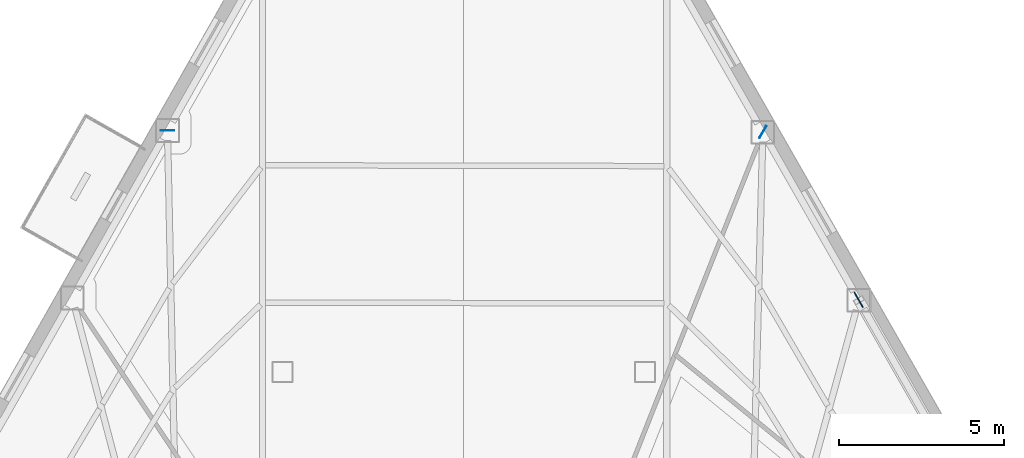
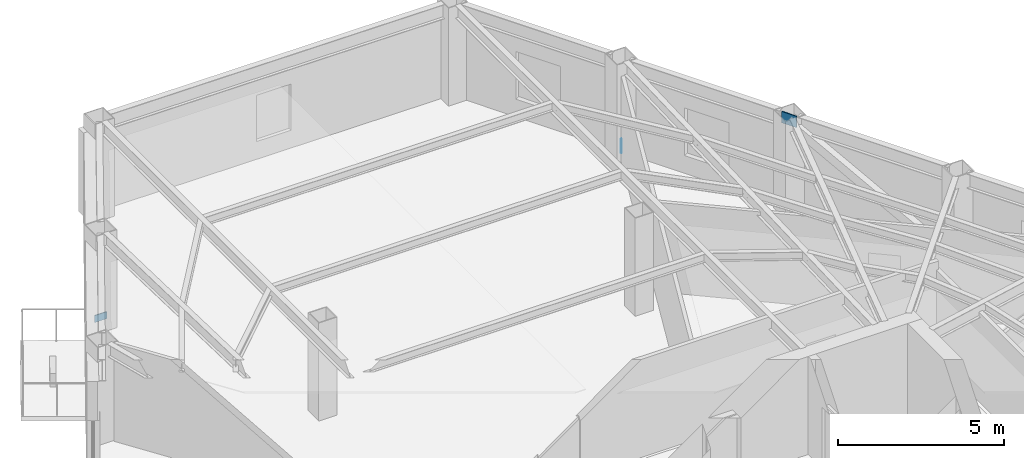
# One storey, part 7 of 13: 3 plates.
"""IFC4 building model written with IfcOpenShell, lengths in metres."""

from ifc_helpers import new_model, si_unit, direction, frame, origin, origin_2d, place, context, subcontext, project, spatial, rectangle, extrude, material, layer, layer_set, type_object, element, save


model = new_model("IFC4")

# Units and contexts
model_context = context("Model", 3, precision=1e-05, world=origin(), true_north=direction((0.0, 1.0)))
body_context = subcontext(model_context, "Body", "Model", "MODEL_VIEW")
ifc_project = project(units=[si_unit("LENGTHUNIT", "METRE"), si_unit("AREAUNIT", "SQUARE_METRE"), si_unit("VOLUMEUNIT", "CUBIC_METRE"), si_unit("PLANEANGLEUNIT", "RADIAN"), si_unit("MASSUNIT", "GRAM", prefix="KILO")], contexts=[model_context])

# Site, building, storey
site_placement = place(None, origin())
site = spatial("IfcSite", under=ifc_project, at=site_placement, CompositionType="ELEMENT")
building_placement = place(site_placement, origin())
building = spatial("IfcBuilding", under=site, at=building_placement, Name="Kavelnor Concourse Tower", CompositionType="ELEMENT")
storey_placement = place(building_placement, frame((0.0, 0.0, 97.050048828125)))
storey = spatial("IfcBuildingStorey", under=building, at=storey_placement, Name="L24", CompositionType="ELEMENT", Elevation=97.050048828125)

# Plates
ifc_material = material(Name="Steel Grade 350", Category="steel")
ifc_layer_1 = layer(ifc_material, 0.031982421875, Name="Steel Grade 350")
ifc_layer_set_1 = layer_set([ifc_layer_1], Name="Steel Grade 350")
plate_type_1 = type_object("IfcPlateType", Name="PL-GUSSET-TUBE-Z1", PredefinedType="USERDEFINED", material=ifc_layer_set_1)
plate_placement = place(storey_placement, frame((49.986328125, 33.98681640625, 3.12353515625), z_axis=(0.0, 0.0, 1.0), x_axis=(-0.496216503675, 0.868198814489, 0.0)))
element("IfcPlate", 1, at=plate_placement, inside=storey, type_object=plate_type_1, Name="L24 Tube Brace Gusset GP3 F2-B3 End Gusset B", ObjectType="GUSSET_PLATE", PredefinedType="USERDEFINED", context=body_context, shape_type="SweptSolid", body=[
    extrude(rectangle(XDim=0.52001953125, YDim=0.031982421875, at=origin_2d()), origin(), (0.0, 0.0, 1.0), 0.419921875),
])
ifc_layer_2 = layer(ifc_material, 0.02490234375, Name="Steel Grade 350")
ifc_layer_set_2 = layer_set([ifc_layer_2], Name="Steel Grade 350")
plate_type_2 = type_object("IfcPlateType", Name="PL-SPLICE-FLANGE", PredefinedType="SHEET", material=ifc_layer_set_2)
for number, where, z_axis, x_axis, name in (
    (2, (29.012451171875, 39.126953125, 0.169921875), (0.0, 0.0, 1.0), (1.0, 0.0, 0.0), "L24 Column Flange Splice Plate F0-B1"),
    (3, (47.077880859375, 39.075927734375, 0.169921875), (0.0, 0.0, 1.0), (-0.5, -0.866025403784, 0.0), "L24 Column Flange Splice Plate F2-B5"),
):
    element("IfcPlate", number, at=place(storey_placement, frame(where, z_axis=z_axis, x_axis=x_axis)), inside=storey, type_object=plate_type_2, Name=name, PredefinedType="SHEET", context=body_context, shape_type="SweptSolid", body=[
        extrude(rectangle(XDim=0.419921875, YDim=0.02490234375, at=origin_2d()), origin(), (0.0, 0.0, 1.0), 0.260009765625),
    ])

save(model, "model.ifc")
